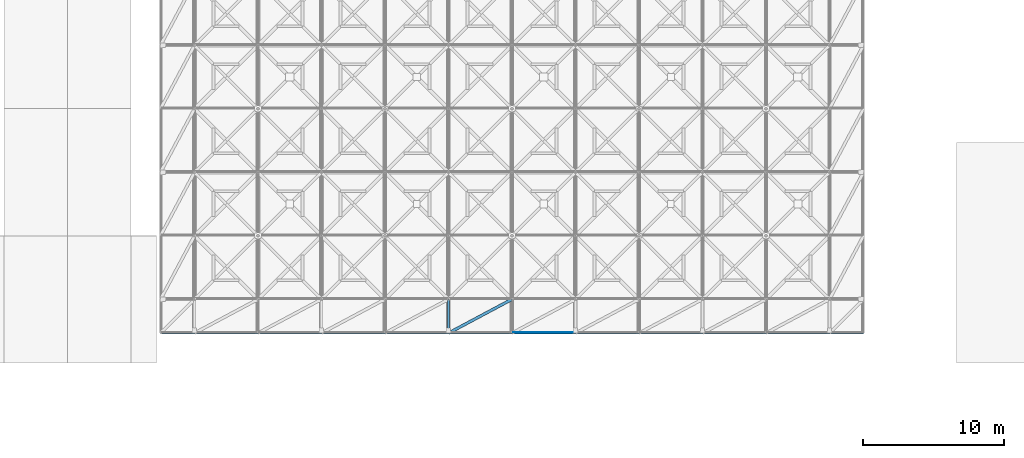
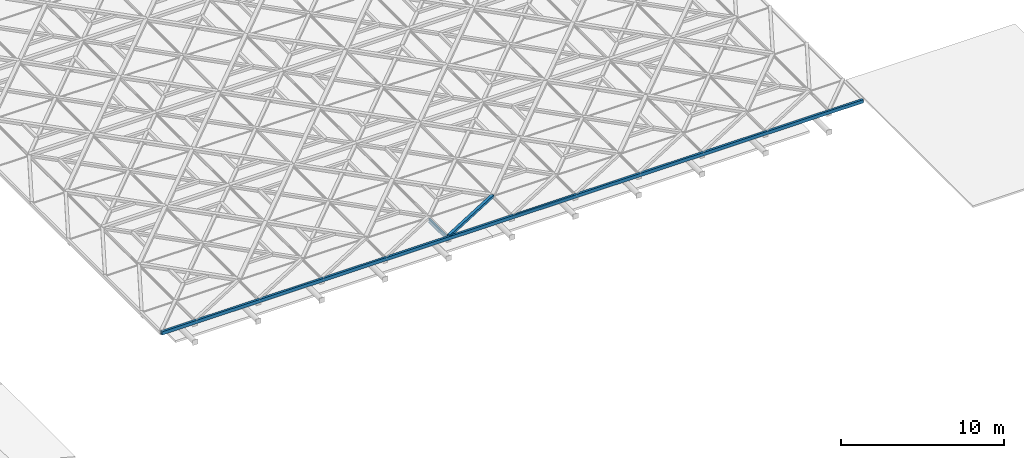
# One storey, part 18 of 80: 2 beams, 2 members, 1 element without a shape of its own.
"""IFC4 building model written with IfcOpenShell, lengths in metres."""

from ifc_helpers import new_model, si_unit, direction, frame, origin, origin_2d, place, context, subcontext, project, spatial, rectangle, hollow_rectangle, i_section, extrude, material, material_profile, profile_set, type_object, element, aggregate, save


model = new_model("IFC4")

# Units and contexts
model_context = context("Model", 3, precision=1e-05, world=origin(), true_north=direction((0.0, 1.0)))
body_context = subcontext(model_context, "Body", "Model", "MODEL_VIEW")
ifc_project = project(units=[si_unit("LENGTHUNIT", "METRE"), si_unit("AREAUNIT", "SQUARE_METRE"), si_unit("VOLUMEUNIT", "CUBIC_METRE"), si_unit("PLANEANGLEUNIT", "RADIAN"), si_unit("MASSUNIT", "GRAM", prefix="KILO"), si_unit("THERMODYNAMICTEMPERATUREUNIT", "KELVIN"), si_unit("POWERUNIT", "WATT")], contexts=[model_context])

# Site, building, storey
site_placement = place(None, origin())
site = spatial("IfcSite", under=ifc_project, at=site_placement, CompositionType="ELEMENT")
building_placement = place(site_placement, origin())
building = spatial("IfcBuilding", under=site, at=building_placement, Name="Tallowbark Science Centre", CompositionType="ELEMENT")
storey_placement = place(building_placement, frame((0.0, 0.0, 25.949951171875)))
storey = spatial("IfcBuildingStorey", under=building, at=storey_placement, Name="ROOF", CompositionType="ELEMENT", Elevation=25.949951171875)

# Beam
ifc_material_1 = material(Name="White Architectural Painted Steel Grade C350L0 (350 MPa)", Category="steel")
ifc_material_profile_1 = material_profile(ifc_material_1, i_section(OverallWidth=0.146484375, OverallDepth=0.256103515625, WebThickness=0.00634765625, FlangeThickness=0.010986328125, FilletRadius=0.0087890625, at=origin_2d()), Name="250UB37.3")
ifc_profile_set_1 = profile_set([ifc_material_profile_1], Name="White Architectural Painted Steel Grade C350L0 (350 MPa)")
beam_type_1 = type_object("IfcBeamType", Name="BM-OUT250", PredefinedType="BEAM", material=ifc_profile_set_1)
beam_1_placement = place(storey_placement, frame((76.5, 4.5, 0.199951171875), z_axis=(0.0, -1.0, 0.0), x_axis=(1.0, 0.0, 0.0)))
element("IfcBeam", 1, at=beam_1_placement, inside=storey, type_object=beam_type_1, Name="Star Screen Outrigger Tie Beam S-105", PredefinedType="BEAM", context=body_context, shape_type="SweptSolid", body=[
    extrude(i_section(OverallWidth=0.146484375, OverallDepth=0.256103515625, WebThickness=0.00634765625, FlangeThickness=0.010986328125, FilletRadius=0.0087890625, at=origin_2d()), origin(), (0.0, 0.0, 1.0), 2.39990234375),
])

# Curtain wall, member
ifc_material_2 = material(Name="Blue-Tinted Laminated Low-E Skylight Glass", Category="glass")
curtain_wall_type = type_object("IfcCurtainWallType", Name="CW-SKY-ROOF", PredefinedType="NOTDEFINED", material=ifc_material_2)
curtain_wall_placement = place(storey_placement, origin())
curtain_wall = element("IfcCurtainWall", 2, at=curtain_wall_placement, inside=storey, type_object=curtain_wall_type, Name="Exhibition Star-Screen Skylight Bay 7", PredefinedType="NOTDEFINED")
ifc_material_3 = material(Name="Anodised Architectural Aluminium Alloy 6063-T6", Category="aluminium")
ifc_material_profile_2 = material_profile(ifc_material_3, rectangle(XDim=0.054931640625, YDim=0.1201171875, at=origin_2d()), Name="ALU55x120")
ifc_profile_set_2 = profile_set([ifc_material_profile_2], Name="Anodised Architectural Aluminium Alloy 6063-T6")
member_type_1 = type_object("IfcMemberType", Name="CWM-SKY-TRN", PredefinedType="USERDEFINED", material=ifc_profile_set_2)
member_1_placement = place(storey_placement, frame((81.080078125, 2.139892578125, 0.35205078125), z_axis=(1.0, 0.0, 0.0), x_axis=(0.0, 1.0, 0.0)))
member_1 = element("IfcMember", 3, at=member_1_placement, type_object=member_type_1, Name="Skylight Bay 7 Transom 1", ObjectType="TRANSOM", PredefinedType="USERDEFINED", context=body_context, shape_type="SweptSolid", body=[
    extrude(rectangle(XDim=0.054931640625, YDim=0.1201171875, at=origin_2d()), origin(), (0.0, 0.0, 1.0), 4.33984375),
])
aggregate(curtain_wall, [member_1])

# Member
ifc_material_profile_3 = material_profile(ifc_material_1, hollow_rectangle(XDim=0.199951171875, YDim=0.199951171875, WallThickness=0.009033203125, at=origin_2d()), Name="200x200x9.0SHS")
ifc_profile_set_3 = profile_set([ifc_material_profile_3], Name="White Architectural Painted Steel Grade C350L0 (350 MPa)")
member_type_2 = type_object("IfcMemberType", Name="SCR-STAR139", PredefinedType="BRACE", material=ifc_profile_set_3)
member_2_placement = place(storey_placement, frame((76.5, 2.10009765625, 0.449951171875), z_axis=(0.882360891967, 0.470573327259, 0.0), x_axis=(-0.470573327259, 0.882360891967, 0.0)))
element("IfcMember", 4, at=member_2_placement, inside=storey, type_object=member_type_2, Name="Top Perimeter Gap Star Diagonal 6-1", PredefinedType="BRACE", context=body_context, shape_type="SweptSolid", body=[
    extrude(hollow_rectangle(XDim=0.199951171875, YDim=0.199951171875, WallThickness=0.009033203125, at=origin_2d()), origin(), (0.0, 0.0, 1.0), 5.099853515625),
])

# Beam
ifc_material_profile_4 = material_profile(ifc_material_1, hollow_rectangle(XDim=0.14990234375, YDim=0.25, WallThickness=0.009033203125, at=origin_2d()), Name="250x150x9.0RHS")
ifc_profile_set_4 = profile_set([ifc_material_profile_4], Name="White Architectural Painted Steel Grade C350L0 (350 MPa)")
beam_type_2 = type_object("IfcBeamType", Name="SPN-RHS250", PredefinedType="SPANDREL", material=ifc_profile_set_4)
beam_2_placement = place(storey_placement, frame((56.10009765625, 2.10009765625, 0.324951171875), z_axis=(1.0, 0.0, 0.0), x_axis=(0.0, 1.0, 0.0)))
element("IfcBeam", 5, at=beam_2_placement, inside=storey, type_object=beam_type_2, Name="Star Screen Perimeter Ring Beam S-ROOF", PredefinedType="SPANDREL", context=body_context, shape_type="SweptSolid", body=[
    extrude(hollow_rectangle(XDim=0.14990234375, YDim=0.25, WallThickness=0.009033203125, at=origin_2d()), origin(), (0.0, 0.0, 1.0), 49.7998046875),
])

save(model, "model.ifc")
